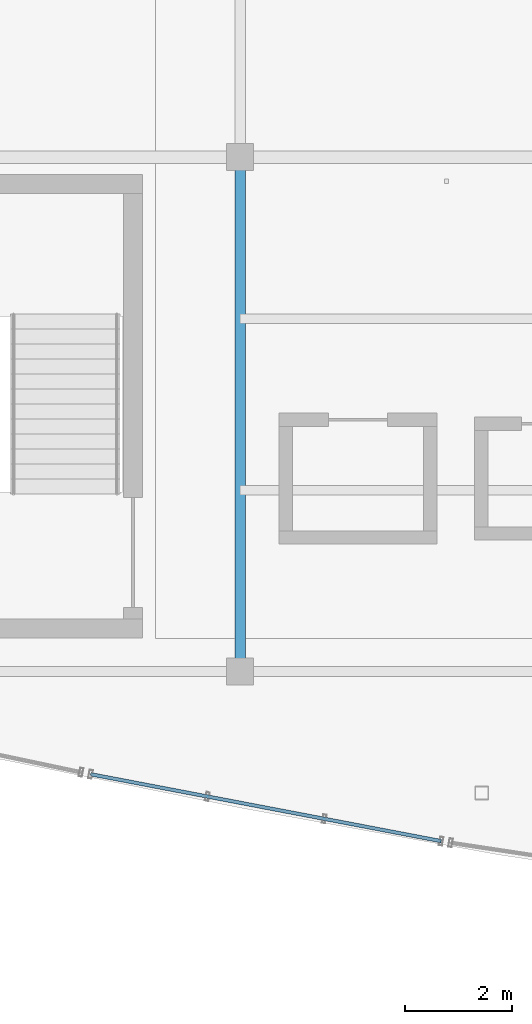
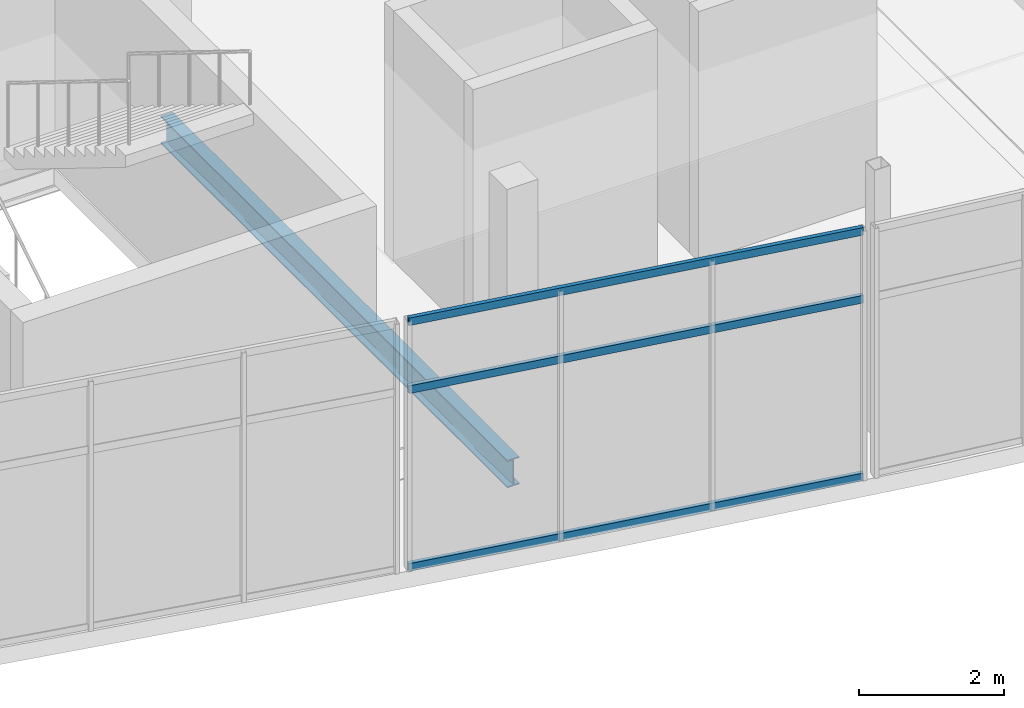
# One storey, part 50 of 114: 3 members, 1 beam, 1 element without a shape of its own.
"""IFC4 building model written with IfcOpenShell, lengths in metres."""

from ifc_helpers import new_model, si_unit, direction, frame, origin, origin_2d, place, context, subcontext, project, spatial, hollow_rectangle, i_section, extrude, material, layer, layer_set, material_profile, profile_set, type_object, element, aggregate, save


model = new_model("IFC4")

# Units and contexts
model_context = context("Model", 3, precision=1e-05, world=origin(), true_north=direction((0.0, 1.0)))
body_context = subcontext(model_context, "Body", "Model", "MODEL_VIEW")
ifc_project = project(units=[si_unit("LENGTHUNIT", "METRE"), si_unit("AREAUNIT", "SQUARE_METRE"), si_unit("VOLUMEUNIT", "CUBIC_METRE"), si_unit("PLANEANGLEUNIT", "RADIAN"), si_unit("MASSUNIT", "GRAM", prefix="KILO")], contexts=[model_context])

# Site, building, storey
site_placement = place(None, origin())
site = spatial("IfcSite", under=ifc_project, at=site_placement, CompositionType="ELEMENT")
building_placement = place(site_placement, origin())
building = spatial("IfcBuilding", under=site, at=building_placement, Name="Chalmorin Arch Market", CompositionType="ELEMENT")
storey_placement = place(building_placement, frame((0.0, 0.0, 9.60009765625)))
storey = spatial("IfcBuildingStorey", under=building, at=storey_placement, Name="L02", CompositionType="ELEMENT", Elevation=9.60009765625)

# Curtain wall, members
ifc_material_1 = material(Name="Aluminium 6063-T6", Category="aluminium")
ifc_layer = layer(ifc_material_1, 0.159912109375)
ifc_layer_set = layer_set([ifc_layer], Name="Aluminium 6063-T6")
curtain_wall_type = type_object("IfcCurtainWallType", Name="CulinaryStudioCurtainWall-CW3-6660x4220", PredefinedType="NOTDEFINED", material=ifc_layer_set)
curtain_wall_placement = place(storey_placement, origin())
curtain_wall = element("IfcCurtainWall", 1, at=curtain_wall_placement, inside=storey, type_object=curtain_wall_type, Name="CW-03-154", PredefinedType="NOTDEFINED")
ifc_material_profile_1 = material_profile(ifc_material_1, hollow_rectangle(XDim=0.06494140625, YDim=0.1298828125, WallThickness=0.00390625, at=origin_2d()), Name="ALU65X130X4")
ifc_profile_set_1 = profile_set([ifc_material_profile_1], Name="Aluminium 6063-T6")
member_type = type_object("IfcMemberType", Name="CurtainWallTransom-65x130", PredefinedType="USERDEFINED", material=ifc_profile_set_1)
member_1_placement = place(storey_placement, frame((54.808349609375, 70.08203125, 0.034912109375), z_axis=(0.982264065399, -0.187502815514, 0.0), x_axis=(0.187502815514, 0.982264065399, 0.0)))
member_1 = element("IfcMember", 2, at=member_1_placement, type_object=member_type, Name="TR-154-01", ObjectType="TRANSOM", PredefinedType="USERDEFINED", context=body_context, shape_type="SweptSolid", body=[
    extrude(hollow_rectangle(XDim=0.06494140625, YDim=0.1298828125, WallThickness=0.00390625, at=origin_2d()), origin(), (0.0, 0.0, 1.0), 6.661376953125),
])
member_2_placement = place(storey_placement, frame((54.808349609375, 70.08203125, 3.038330078125), z_axis=(0.982264065399, -0.187502815514, 0.0), x_axis=(0.187502815514, 0.982264065399, 0.0)))
member_2 = element("IfcMember", 3, at=member_2_placement, type_object=member_type, Name="TR-154-02", ObjectType="TRANSOM", PredefinedType="USERDEFINED", context=body_context, shape_type="SweptSolid", body=[
    extrude(hollow_rectangle(XDim=0.06494140625, YDim=0.1298828125, WallThickness=0.00390625, at=origin_2d()), origin(), (0.0, 0.0, 1.0), 6.661376953125),
])
member_3_placement = place(storey_placement, frame((54.808349609375, 70.08203125, 4.184814453125), z_axis=(0.982264065399, -0.187502815514, 0.0), x_axis=(0.187502815514, 0.982264065399, 0.0)))
member_3 = element("IfcMember", 4, at=member_3_placement, type_object=member_type, Name="TR-154-03", ObjectType="TRANSOM", PredefinedType="USERDEFINED", context=body_context, shape_type="SweptSolid", body=[
    extrude(hollow_rectangle(XDim=0.06494140625, YDim=0.1298828125, WallThickness=0.00390625, at=origin_2d()), origin(), (0.0, 0.0, 1.0), 6.661376953125),
])
aggregate(curtain_wall, [member_1, member_2, member_3])

# Beam
ifc_material_2 = material(Name="Steel A992 Grade 50", Category="steel")
ifc_material_profile_2 = material_profile(ifc_material_2, i_section(OverallWidth=0.193115234375, OverallDepth=0.466064453125, WebThickness=0.011474609375, FlangeThickness=0.01904296875, FilletRadius=0.02001953125, at=origin_2d()), Name="W18X65")
ifc_profile_set_2 = profile_set([ifc_material_profile_2], Name="Steel A992 Grade 50")
beam_type = type_object("IfcBeamType", Name="FloorSteelBeam-W18X65", PredefinedType="BEAM", material=ifc_profile_set_2)
beam_placement = place(storey_placement, frame((57.60009765625, 72.0, -0.51513671875), z_axis=(0.0, 1.0, 0.0), x_axis=(-1.0, 0.0, 0.0)))
element("IfcBeam", 5, at=beam_placement, inside=storey, type_object=beam_type, Name="BM-W18A-1222", PredefinedType="BEAM", context=body_context, shape_type="SweptSolid", body=[
    extrude(i_section(OverallWidth=0.193115234375, OverallDepth=0.466064453125, WebThickness=0.011474609375, FlangeThickness=0.01904296875, FilletRadius=0.02001953125, at=origin_2d()), origin(), (0.0, 0.0, 1.0), 9.60009765625),
])

save(model, "model.ifc")
